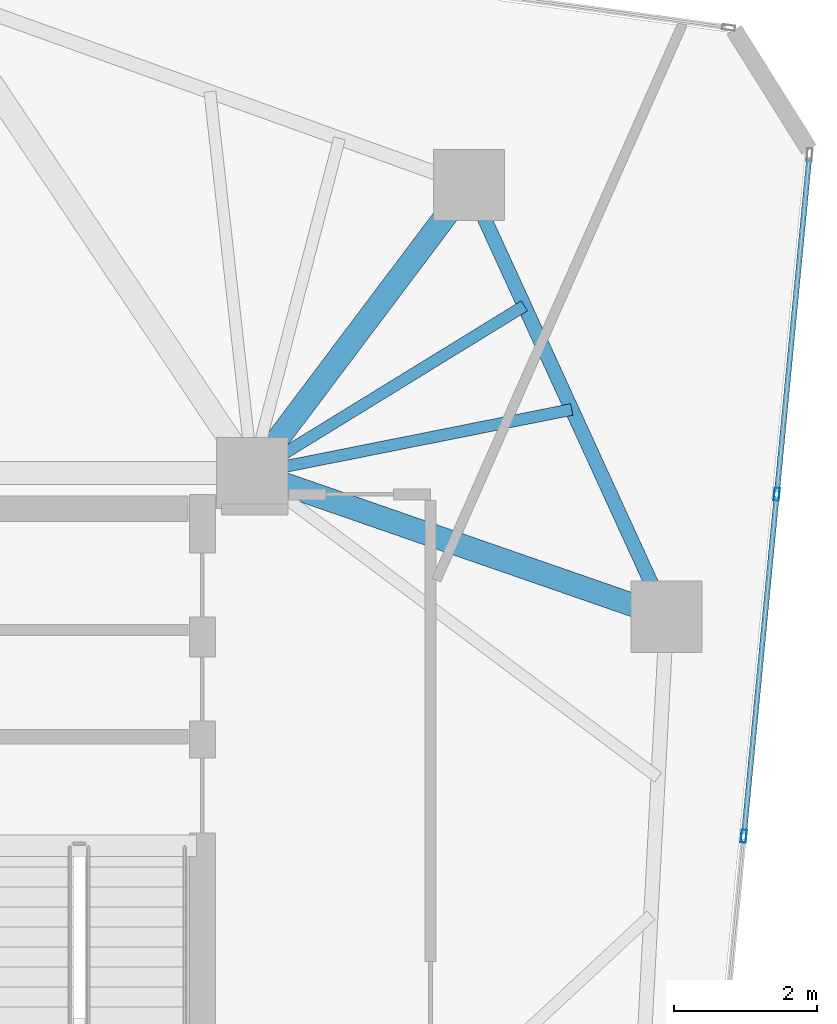
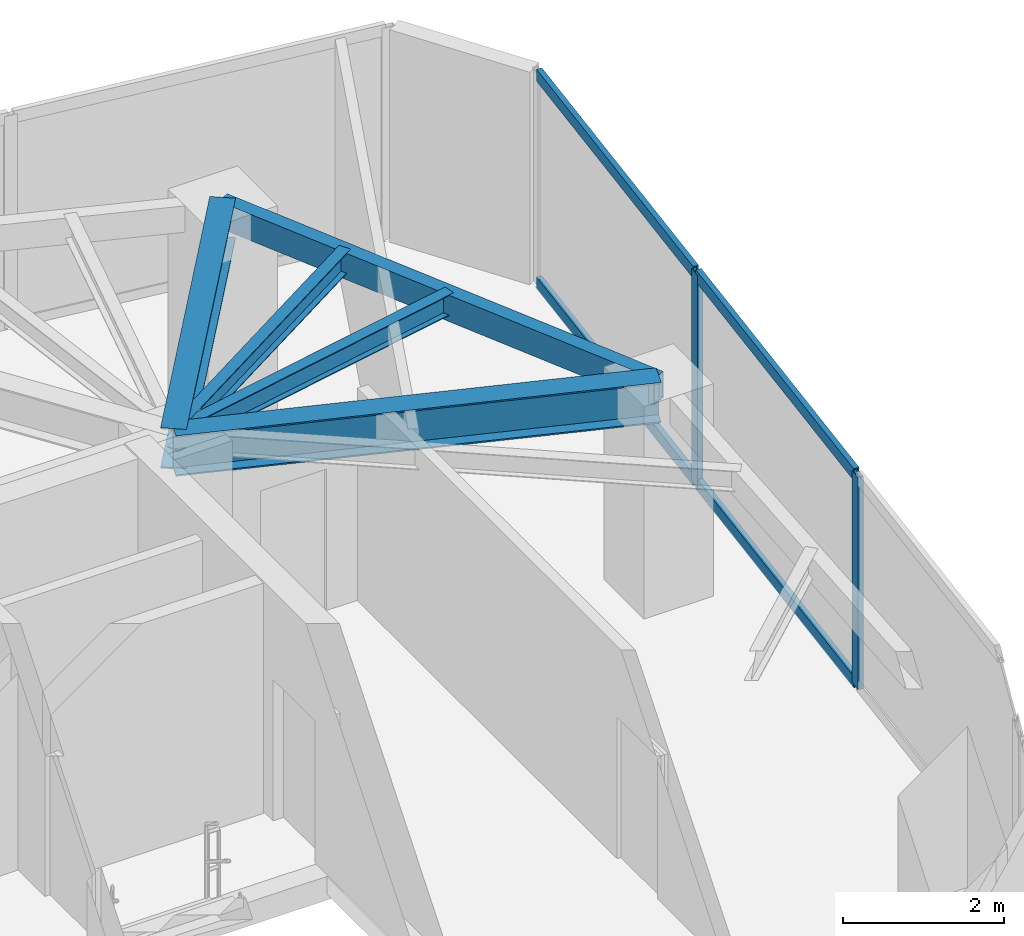
# One storey, part 12 of 21: 6 members, 5 beams, 1 element without a shape of its own.
"""IFC4 building model written with IfcOpenShell, lengths in metres."""

from ifc_helpers import new_model, si_unit, direction, frame, origin, origin_2d, place, context, subcontext, project, spatial, hollow_rectangle, i_section, extrude, source, transform, mapped, material, layer, layer_set, material_profile, profile_set, type_object, type_shapes, element, aggregate, save


model = new_model("IFC4")

# Units and contexts
model_context = context("Model", 3, precision=1e-05, world=origin(), true_north=direction((0.0, 1.0)))
body_context = subcontext(model_context, "Body", "Model", "MODEL_VIEW")
ifc_project = project(units=[si_unit("LENGTHUNIT", "METRE"), si_unit("AREAUNIT", "SQUARE_METRE"), si_unit("VOLUMEUNIT", "CUBIC_METRE"), si_unit("PLANEANGLEUNIT", "RADIAN"), si_unit("MASSUNIT", "GRAM", prefix="KILO")], contexts=[model_context])

# Site, building, storey
site_placement = place(None, origin())
site = spatial("IfcSite", under=ifc_project, at=site_placement, CompositionType="ELEMENT")
building_placement = place(site_placement, origin())
building = spatial("IfcBuilding", under=site, at=building_placement, Name="Talar Marvaseh", CompositionType="ELEMENT")
storey_placement = place(building_placement, frame((0.0, 0.0, 225.699951171875)))
storey = spatial("IfcBuildingStorey", under=building, at=storey_placement, Name="L59", CompositionType="ELEMENT", Elevation=225.699951171875)

# Beams
ifc_material_1 = material(Name="Steel S355", Category="steel")
ifc_material_profile_1 = material_profile(ifc_material_1, hollow_rectangle(XDim=0.199951171875, YDim=0.39990234375, WallThickness=0.013916015625, at=origin_2d()), Name="RHS400x200x14")
ifc_profile_set_1 = profile_set([ifc_material_profile_1], Name="Steel S355")
beam_type_1 = type_object("IfcBeamType", Name="Zone 3 Perimeter Spandrel Beam RHS400x200x14", PredefinedType="SPANDREL", material=ifc_profile_set_1)
beam_1_placement = place(storey_placement, frame((36.341064453125, 40.94189453125, 3.030029296875), z_axis=(0.416090570719, -0.909323175202, 0.0), x_axis=(0.909323175202, 0.416090570719, 0.0)))
element("IfcBeam", 1, at=beam_1_placement, inside=storey, type_object=beam_type_1, Name="L59 Zone 3 Perimeter Spandrel Beam RHS400x200x14", PredefinedType="SPANDREL", context=body_context, shape_type="SweptSolid", body=[
    extrude(hollow_rectangle(XDim=0.199951171875, YDim=0.39990234375, WallThickness=0.013916015625, at=origin_2d()), origin(), (0.0, 0.0, 1.0), 6.661865234375),
])
ifc_material_profile_2 = material_profile(ifc_material_1, i_section(OverallWidth=0.324951171875, OverallDepth=0.615966796875, WebThickness=0.013916015625, FlangeThickness=0.021484375, at=origin_2d()), Name="W610x174")
ifc_profile_set_2 = profile_set([ifc_material_profile_2], Name="Steel S355")
beam_type_2 = type_object("IfcBeamType", Name="Zone 3 Radial Floor Girder W610x174", PredefinedType="BEAM", material=ifc_profile_set_2)
beam_2_placement = place(storey_placement, frame((36.341064453125, 40.94189453125, 2.922119140625), z_axis=(-0.601204044541, -0.799095549247, 0.0), x_axis=(0.799095549247, -0.601204044541, 0.0)))
element("IfcBeam", 2, at=beam_2_placement, inside=storey, type_object=beam_type_2, Name="L59 Zone 3 Radial Floor Girder W610x174", PredefinedType="BEAM", context=body_context, shape_type="SweptSolid", body=[
    extrude(i_section(OverallWidth=0.324951171875, OverallDepth=0.615966796875, WebThickness=0.013916015625, FlangeThickness=0.021484375, at=origin_2d()), origin(), (0.0, 0.0, 1.0), 5.05810546875),
])
beam_3_placement = place(storey_placement, frame((39.113037109375, 34.884033203125, 2.922119140625), z_axis=(-0.94480098975, 0.327644761544, 0.0), x_axis=(-0.327644761544, -0.94480098975, 0.0)))
element("IfcBeam", 3, at=beam_3_placement, inside=storey, type_object=beam_type_2, Name="L59 Zone 3 Radial Floor Girder W610x174", PredefinedType="BEAM", context=body_context, shape_type="SweptSolid", body=[
    extrude(i_section(OverallWidth=0.324951171875, OverallDepth=0.615966796875, WebThickness=0.013916015625, FlangeThickness=0.021484375, at=origin_2d()), origin(), (0.0, 0.0, 1.0), 6.152587890625),
])
ifc_material_profile_3 = material_profile(ifc_material_1, i_section(OverallWidth=0.166015625, OverallDepth=0.31298828125, WebThickness=0.006591796875, FlangeThickness=0.01123046875, at=origin_2d()), Name="W310x45")
ifc_profile_set_3 = profile_set([ifc_material_profile_3], Name="Steel S355")
beam_type_3 = type_object("IfcBeamType", Name="Zone 3 Secondary Floor Joist W310x45", PredefinedType="JOIST", material=ifc_profile_set_3)
beam_4_placement = place(storey_placement, frame((37.1171875, 39.245849609375, 3.073486328125), z_axis=(-0.851963133725, -0.52360177499, 0.0), x_axis=(0.52360177499, -0.851963133725, 0.0)))
element("IfcBeam", 4, at=beam_4_placement, inside=storey, type_object=beam_type_3, Name="L59 Zone 3 Secondary Floor Joist W310x45", PredefinedType="JOIST", context=body_context, shape_type="SweptSolid", body=[
    extrude(i_section(OverallWidth=0.166015625, OverallDepth=0.31298828125, WebThickness=0.006591796875, FlangeThickness=0.01123046875, at=origin_2d()), origin(), (0.0, 0.0, 1.0), 4.48046875),
])
beam_5_placement = place(storey_placement, frame((37.782470703125, 37.791748046875, 3.073486328125), z_axis=(-0.980775375356, -0.195140111447, 0.0), x_axis=(0.195140111447, -0.980775375356, 0.0)))
element("IfcBeam", 5, at=beam_5_placement, inside=storey, type_object=beam_type_3, Name="L59 Zone 3 Secondary Floor Joist W310x45", PredefinedType="JOIST", context=body_context, shape_type="SweptSolid", body=[
    extrude(i_section(OverallWidth=0.166015625, OverallDepth=0.31298828125, WebThickness=0.006591796875, FlangeThickness=0.01123046875, at=origin_2d()), origin(), (0.0, 0.0, 1.0), 4.5703125),
])

# Curtain wall, members
ifc_material_2 = material(Name="Architectural Aluminium", Category="aluminium")
ifc_layer = layer(ifc_material_2, 0.18994140625)
ifc_layer_set = layer_set([ifc_layer], Name="Architectural Aluminium")
curtain_wall_type = type_object("IfcCurtainWallType", Name="Unitised Solar Atelier Curtain Wall Z3", PredefinedType="NOTDEFINED", material=ifc_layer_set)
curtain_wall_placement = place(storey_placement, origin())
curtain_wall = element("IfcCurtainWall", 6, at=curtain_wall_placement, inside=storey, type_object=curtain_wall_type, Name="L59 Unitised Solar Atelier Curtain Wall Z3", PredefinedType="NOTDEFINED")
ifc_material_profile_4 = material_profile(ifc_material_2, hollow_rectangle(XDim=0.074951171875, YDim=0.179931640625, WallThickness=0.0048828125, at=origin_2d()), Name="RHS180x75x5")
ifc_profile_set_4 = profile_set([ifc_material_profile_4], Name="Architectural Aluminium")
member_type_1 = type_object("IfcMemberType", Name="Unitised Curtain Wall Standard Mullion RHS180x75x5", PredefinedType="MULLION", material=ifc_profile_set_4)
shared_shape_1 = source(origin(), body_context, "Body", "SweptSolid", [
    extrude(hollow_rectangle(XDim=0.074951171875, YDim=0.179931640625, WallThickness=0.0048828125, at=origin_2d()), origin(), (0.0, 0.0, 1.0), 3.22998046875),
])
type_shapes(member_type_1, [shared_shape_1])
member_1_placement = place(storey_placement, frame((40.65869140625, 36.603515625, 0.0), z_axis=(0.0, 0.0, 1.0), x_axis=(0.995381660069, -0.095996618681, 0.0)))
member_1 = element("IfcMember", 7, at=member_1_placement, type_object=member_type_1, Name="CW-Z3 mullion 2", PredefinedType="MULLION", context=body_context, shape_type="MappedRepresentation", body=[
    mapped(shared_shape_1, transform((0.0, 0.0, 0.0), x_axis=(1.0, 0.0, 0.0), y_axis=(0.0, 1.0, 0.0), z_axis=(0.0, 0.0, 1.0), scale=1.0)),
])
member_2_placement = place(storey_placement, frame((40.19580078125, 31.8037109375, 0.0), z_axis=(0.0, 0.0, 1.0), x_axis=(0.995381660069, -0.095996618681, 0.0)))
member_2 = element("IfcMember", 8, at=member_2_placement, type_object=member_type_1, Name="CW-Z3 mullion 3", PredefinedType="MULLION", context=body_context, shape_type="MappedRepresentation", body=[
    mapped(shared_shape_1, transform((0.0, 0.0, 0.0), x_axis=(1.0, 0.0, 0.0), y_axis=(0.0, 1.0, 0.0), z_axis=(0.0, 0.0, 1.0), scale=1.0)),
])
ifc_material_profile_5 = material_profile(ifc_material_2, hollow_rectangle(XDim=0.074951171875, YDim=0.179931640625, WallThickness=0.0048828125, at=origin_2d()), Name="RHS180x75x5")
ifc_profile_set_5 = profile_set([ifc_material_profile_5], Name="Architectural Aluminium")
member_type_2 = type_object("IfcMemberType", Name="Unitised Curtain Wall Transom RHS180x75x5", PredefinedType="USERDEFINED", material=ifc_profile_set_5)
shared_shape_2 = source(origin(), body_context, "Body", "SweptSolid", [
    extrude(hollow_rectangle(XDim=0.074951171875, YDim=0.179931640625, WallThickness=0.0048828125, at=origin_2d()), origin(), (0.0, 0.0, 1.0), 4.70947265625),
])
member_3_placement = place(storey_placement, frame((41.114501953125, 41.32861328125, 0.03759765625), z_axis=(-0.096007751982, -0.995380586288, 0.0), x_axis=(0.995380586288, -0.096007751982, 0.0)))
member_3 = element("IfcMember", 9, at=member_3_placement, type_object=member_type_2, Name="CW-Z3 transom 1.1", ObjectType="TRANSOM", PredefinedType="USERDEFINED", context=body_context, shape_type="MappedRepresentation", body=[
    mapped(shared_shape_2, transform((0.0, 0.0, 0.0), x_axis=(1.0, 0.0, 0.0), y_axis=(0.0, 1.0, 0.0), z_axis=(0.0, 0.0, 1.0), scale=1.0)),
])
member_4_placement = place(storey_placement, frame((41.114501953125, 41.32861328125, 3.192626953125), z_axis=(-0.096007751982, -0.995380586288, 0.0), x_axis=(0.995380586288, -0.096007751982, 0.0)))
member_4 = element("IfcMember", 10, at=member_4_placement, type_object=member_type_2, Name="CW-Z3 transom 1.2", ObjectType="TRANSOM", PredefinedType="USERDEFINED", context=body_context, shape_type="MappedRepresentation", body=[
    mapped(shared_shape_2, transform((0.0, 0.0, 0.0), x_axis=(1.0, 0.0, 0.0), y_axis=(0.0, 1.0, 0.0), z_axis=(0.0, 0.0, 1.0), scale=1.0)),
])
shared_shape_3 = source(origin(), body_context, "Body", "SweptSolid", [
    extrude(hollow_rectangle(XDim=0.074951171875, YDim=0.179931640625, WallThickness=0.0048828125, at=origin_2d()), origin(), (0.0, 0.0, 1.0), 4.7470703125),
])
type_shapes(member_type_2, [shared_shape_2, shared_shape_3])
member_5_placement = place(storey_placement, frame((40.6552734375, 36.566162109375, 0.03759765625), z_axis=(-0.096020116148, -0.995379393646, 0.0), x_axis=(0.995379393646, -0.096020116148, 0.0)))
member_5 = element("IfcMember", 11, at=member_5_placement, type_object=member_type_2, Name="CW-Z3 transom 2.1", ObjectType="TRANSOM", PredefinedType="USERDEFINED", context=body_context, shape_type="MappedRepresentation", body=[
    mapped(shared_shape_3, transform((0.0, 0.0, 0.0), x_axis=(1.0, 0.0, 0.0), y_axis=(0.0, 1.0, 0.0), z_axis=(0.0, 0.0, 1.0), scale=1.0)),
])
member_6_placement = place(storey_placement, frame((40.6552734375, 36.566162109375, 3.192626953125), z_axis=(-0.096020116148, -0.995379393646, 0.0), x_axis=(0.995379393646, -0.096020116148, 0.0)))
member_6 = element("IfcMember", 12, at=member_6_placement, type_object=member_type_2, Name="CW-Z3 transom 2.2", ObjectType="TRANSOM", PredefinedType="USERDEFINED", context=body_context, shape_type="MappedRepresentation", body=[
    mapped(shared_shape_3, transform((0.0, 0.0, 0.0), x_axis=(1.0, 0.0, 0.0), y_axis=(0.0, 1.0, 0.0), z_axis=(0.0, 0.0, 1.0), scale=1.0)),
])
aggregate(curtain_wall, [member_1, member_2, member_3, member_4, member_5, member_6])

save(model, "model.ifc")
